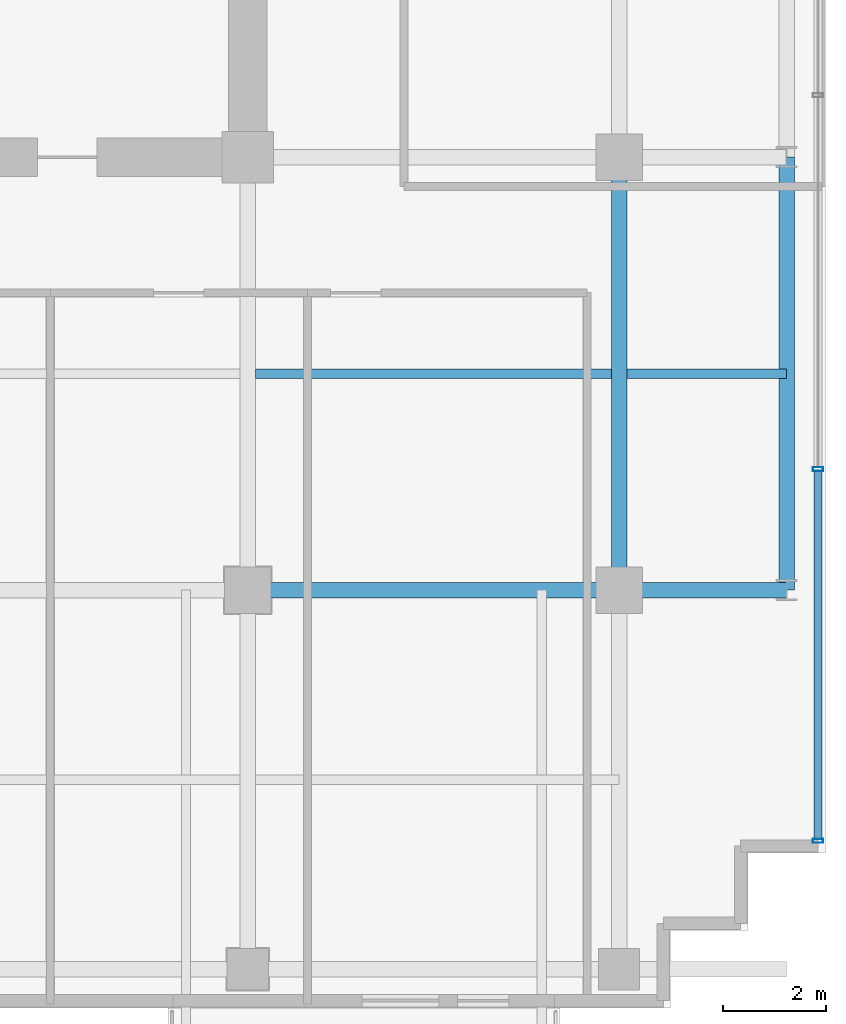
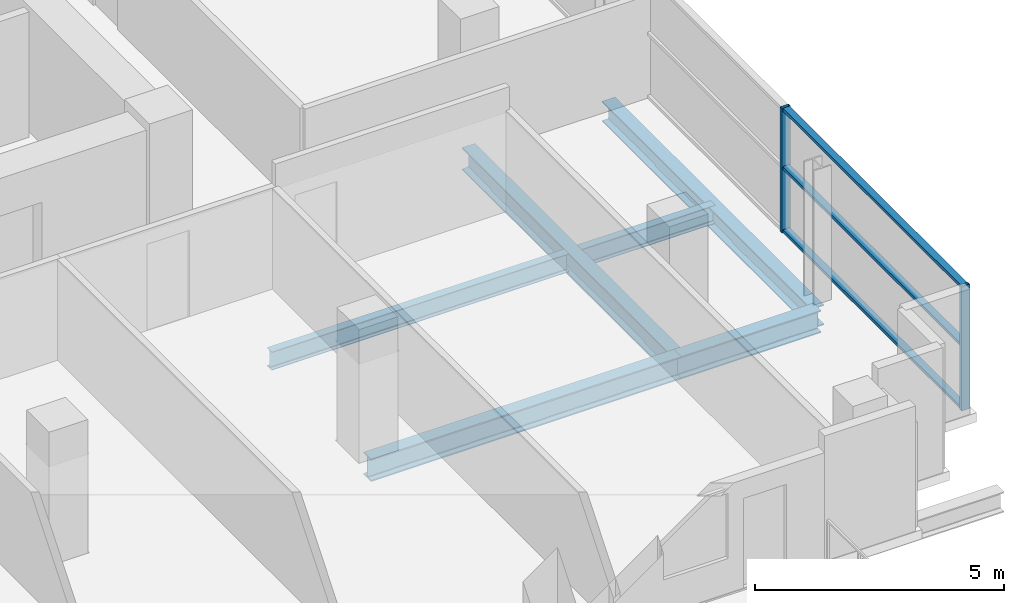
# One storey, part 12 of 28: 6 beams, 5 members, 1 element without a shape of its own.
"""IFC4 building model written with IfcOpenShell, lengths in metres."""

from ifc_helpers import new_model, si_unit, direction, frame, origin, origin_2d, place, context, subcontext, project, spatial, hollow_rectangle, i_section, extrude, source, transform, mapped, material, layer, layer_set, material_profile, profile_set, type_object, element, aggregate, save


model = new_model("IFC4")

# Units and contexts
model_context = context("Model", 3, precision=1e-05, world=origin(), true_north=direction((0.0, 1.0)))
body_context = subcontext(model_context, "Body", "Model", "MODEL_VIEW")
ifc_project = project(units=[si_unit("LENGTHUNIT", "METRE"), si_unit("AREAUNIT", "SQUARE_METRE"), si_unit("VOLUMEUNIT", "CUBIC_METRE"), si_unit("PLANEANGLEUNIT", "RADIAN"), si_unit("MASSUNIT", "GRAM", prefix="KILO")], contexts=[model_context])

# Site, building, storey
site_placement = place(None, origin())
site = spatial("IfcSite", under=ifc_project, at=site_placement, CompositionType="ELEMENT")
building_placement = place(site_placement, origin())
building = spatial("IfcBuilding", under=site, at=building_placement, Name="Zarnakvel Exchange Tower", CompositionType="ELEMENT")
storey_placement = place(building_placement, frame((0.0, 0.0, 103.300048828125)))
storey = spatial("IfcBuildingStorey", under=building, at=storey_placement, Name="L28", CompositionType="ELEMENT", Elevation=103.300048828125)

# Beams
ifc_material_1 = material(Name="Steel S355", Category="steel")
ifc_material_profile_1 = material_profile(ifc_material_1, i_section(OverallWidth=0.18994140625, OverallDepth=0.449951171875, WebThickness=0.009521484375, FlangeThickness=0.0146484375, FilletRadius=0.02099609375, at=origin_2d()))
ifc_profile_set_1 = profile_set([ifc_material_profile_1], Name="Steel S355")
beam_type_1 = type_object("IfcBeamType", Name="B-05", PredefinedType="JOIST", material=ifc_profile_set_1)
beam_1_placement = place(storey_placement, frame((14.550048828125, -5.39990234375, -0.449951171875), z_axis=(1.0, 0.0, 0.0), x_axis=(0.0, 1.0, 0.0)))
element("IfcBeam", 1, at=beam_1_placement, inside=storey, type_object=beam_type_1, Name="L28 Composite Floor Secondary Joist", PredefinedType="JOIST", context=body_context, shape_type="SweptSolid", body=[
    extrude(i_section(OverallWidth=0.18994140625, OverallDepth=0.449951171875, WebThickness=0.009521484375, FlangeThickness=0.0146484375, FilletRadius=0.02099609375, at=origin_2d()), origin(), (0.0, 0.0, 1.0), 6.89990234375),
])
beam_2_placement = place(storey_placement, frame((21.75, -5.39990234375, -0.449951171875), z_axis=(1.0, 0.0, 0.0), x_axis=(0.0, 1.0, 0.0)))
element("IfcBeam", 2, at=beam_2_placement, inside=storey, type_object=beam_type_1, Name="L28 Composite Floor Secondary Joist", PredefinedType="JOIST", context=body_context, shape_type="SweptSolid", body=[
    extrude(i_section(OverallWidth=0.18994140625, OverallDepth=0.449951171875, WebThickness=0.009521484375, FlangeThickness=0.0146484375, FilletRadius=0.02099609375, at=origin_2d()), origin(), (0.0, 0.0, 1.0), 3.10009765625),
])
ifc_material_profile_2 = material_profile(ifc_material_1, i_section(OverallWidth=0.300048828125, OverallDepth=0.550048828125, WebThickness=0.014892578125, FlangeThickness=0.029052734375, FilletRadius=0.027099609375, at=origin_2d()))
ifc_profile_set_2 = profile_set([ifc_material_profile_2], Name="Steel S355")
beam_type_2 = type_object("IfcBeamType", Name="G-05", PredefinedType="BEAM", material=ifc_profile_set_2)
beam_3_placement = place(storey_placement, frame((14.39990234375, -9.60009765625, -0.5), z_axis=(1.0, 0.0, 0.0), x_axis=(0.0, 1.0, 0.0)))
element("IfcBeam", 3, at=beam_3_placement, inside=storey, type_object=beam_type_2, Name="L28 Tower E-W Frame Beam", PredefinedType="BEAM", context=body_context, shape_type="SweptSolid", body=[
    extrude(i_section(OverallWidth=0.300048828125, OverallDepth=0.550048828125, WebThickness=0.014892578125, FlangeThickness=0.029052734375, FilletRadius=0.027099609375, at=origin_2d()), origin(), (0.0, 0.0, 1.0), 7.2001953125),
])
beam_4_placement = place(storey_placement, frame((21.60009765625, -9.60009765625, -0.5), z_axis=(1.0, 0.0, 0.0), x_axis=(0.0, 1.0, 0.0)))
element("IfcBeam", 4, at=beam_4_placement, inside=storey, type_object=beam_type_2, Name="L28 Tower E-W Frame Beam", PredefinedType="BEAM", context=body_context, shape_type="SweptSolid", body=[
    extrude(i_section(OverallWidth=0.300048828125, OverallDepth=0.550048828125, WebThickness=0.014892578125, FlangeThickness=0.029052734375, FilletRadius=0.027099609375, at=origin_2d()), origin(), (0.0, 0.0, 1.0), 3.25),
])
beam_5_placement = place(storey_placement, frame((21.60009765625, -9.60009765625, -0.5), z_axis=(0.0, 1.0, 0.0), x_axis=(-1.0, 0.0, 0.0)))
element("IfcBeam", 5, at=beam_5_placement, inside=storey, type_object=beam_type_2, Name="L28 Tower N-S Frame Beam", PredefinedType="BEAM", context=body_context, shape_type="SweptSolid", body=[
    extrude(i_section(OverallWidth=0.300048828125, OverallDepth=0.550048828125, WebThickness=0.014892578125, FlangeThickness=0.029052734375, FilletRadius=0.027099609375, at=origin_2d()), origin(), (0.0, 0.0, 1.0), 8.400146484375),
])
ifc_material_profile_3 = material_profile(ifc_material_1, i_section(OverallWidth=0.300048828125, OverallDepth=0.5, WebThickness=0.014404296875, FlangeThickness=0.028076171875, FilletRadius=0.027099609375, at=origin_2d()))
ifc_profile_set_3 = profile_set([ifc_material_profile_3], Name="Steel S355")
beam_type_3 = type_object("IfcBeamType", Name="SP-02", PredefinedType="SPANDREL", material=ifc_profile_set_3)
beam_6_placement = place(storey_placement, frame((24.85009765625, -9.60009765625, -0.47509765625), z_axis=(0.0, 1.0, 0.0), x_axis=(-1.0, 0.0, 0.0)))
element("IfcBeam", 6, at=beam_6_placement, inside=storey, type_object=beam_type_3, Name="L28 Tower N-S Frame Beam", PredefinedType="SPANDREL", context=body_context, shape_type="SweptSolid", body=[
    extrude(i_section(OverallWidth=0.300048828125, OverallDepth=0.5, WebThickness=0.014404296875, FlangeThickness=0.028076171875, FilletRadius=0.027099609375, at=origin_2d()), origin(), (0.0, 0.0, 1.0), 8.400146484375),
])

# Curtain wall, members
ifc_material_2 = material(Name="Architectural Bronze Anodised Aluminium", Category="aluminium")
ifc_layer = layer(ifc_material_2, 0.199951171875)
ifc_layer_set = layer_set([ifc_layer], Name="Architectural Bronze Anodised Aluminium")
curtain_wall_type = type_object("IfcCurtainWallType", Name="CW-04", PredefinedType="NOTDEFINED", material=ifc_layer_set)
curtain_wall_placement = place(storey_placement, origin())
curtain_wall = element("IfcCurtainWall", 7, at=curtain_wall_placement, inside=storey, type_object=curtain_wall_type, Name="L28 Curtain Wall CW-L28-E1 (CW-04)", PredefinedType="NOTDEFINED")
ifc_material_profile_4 = material_profile(ifc_material_2, hollow_rectangle(XDim=0.199951171875, YDim=0.074951171875, WallThickness=0.0048828125, at=origin_2d()))
ifc_profile_set_4 = profile_set([ifc_material_profile_4], Name="Architectural Bronze Anodised Aluminium")
member_type_1 = type_object("IfcMemberType", Name="CWM-04", PredefinedType="MULLION", material=ifc_profile_set_4)
shared_shape_1 = source(origin(), body_context, "Body", "SweptSolid", [
    extrude(hollow_rectangle(XDim=0.199951171875, YDim=0.074951171875, WallThickness=0.0048828125, at=origin_2d()), origin(), (0.0, 0.0, 1.0), 3.054931640625),
])
member_1_placement = place(storey_placement, frame((25.4599609375, -14.46240234375, 0.0), z_axis=(0.0, 0.0, 1.0), x_axis=(-1.0, 0.0, 0.0)))
member_1 = element("IfcMember", 8, at=member_1_placement, type_object=member_type_1, Name="CW-04 mullion 1", PredefinedType="MULLION", context=body_context, shape_type="MappedRepresentation", body=[
    mapped(shared_shape_1, transform((0.0, 0.0, 0.0), x_axis=(1.0, 0.0, 0.0), y_axis=(0.0, 1.0, 0.0), z_axis=(0.0, 0.0, 1.0), scale=1.0)),
])
member_2_placement = place(storey_placement, frame((25.4599609375, -7.25, 0.0), z_axis=(0.0, 0.0, 1.0), x_axis=(-1.0, 0.0, 0.0)))
member_2 = element("IfcMember", 9, at=member_2_placement, type_object=member_type_1, Name="CW-04 mullion 2", PredefinedType="MULLION", context=body_context, shape_type="MappedRepresentation", body=[
    mapped(shared_shape_1, transform((0.0, 0.0, 0.0), x_axis=(1.0, 0.0, 0.0), y_axis=(0.0, 1.0, 0.0), z_axis=(0.0, 0.0, 1.0), scale=1.0)),
])
ifc_material_profile_5 = material_profile(ifc_material_2, hollow_rectangle(XDim=0.159912109375, YDim=0.074951171875, WallThickness=0.00390625, at=origin_2d()))
ifc_profile_set_5 = profile_set([ifc_material_profile_5], Name="Architectural Bronze Anodised Aluminium")
member_type_2 = type_object("IfcMemberType", Name="CWT-04", PredefinedType="USERDEFINED", material=ifc_profile_set_5)
shared_shape_2 = source(origin(), body_context, "Body", "SweptSolid", [
    extrude(hollow_rectangle(XDim=0.159912109375, YDim=0.074951171875, WallThickness=0.00390625, at=origin_2d()), origin(), (0.0, 0.0, 1.0), 7.137451171875),
])
member_3_placement = place(storey_placement, frame((25.4599609375, -14.425048828125, 0.037353515625), z_axis=(0.0, 1.0, 0.0), x_axis=(-1.0, 0.0, 0.0)))
member_3 = element("IfcMember", 10, at=member_3_placement, type_object=member_type_2, Name="CW-04 transom 1.1", ObjectType="TRANSOM", PredefinedType="USERDEFINED", context=body_context, shape_type="MappedRepresentation", body=[
    mapped(shared_shape_2, transform((0.0, 0.0, 0.0), x_axis=(1.0, 0.0, 0.0), y_axis=(0.0, 1.0, 0.0), z_axis=(0.0, 0.0, 1.0), scale=1.0)),
])
member_4_placement = place(storey_placement, frame((25.4599609375, -14.425048828125, 1.588623046875), z_axis=(0.0, 1.0, 0.0), x_axis=(-1.0, 0.0, 0.0)))
member_4 = element("IfcMember", 11, at=member_4_placement, type_object=member_type_2, Name="CW-04 transom 1.2", ObjectType="TRANSOM", PredefinedType="USERDEFINED", context=body_context, shape_type="MappedRepresentation", body=[
    mapped(shared_shape_2, transform((0.0, 0.0, 0.0), x_axis=(1.0, 0.0, 0.0), y_axis=(0.0, 1.0, 0.0), z_axis=(0.0, 0.0, 1.0), scale=1.0)),
])
member_5_placement = place(storey_placement, frame((25.4599609375, -14.425048828125, 3.017333984375), z_axis=(0.0, 1.0, 0.0), x_axis=(-1.0, 0.0, 0.0)))
member_5 = element("IfcMember", 12, at=member_5_placement, type_object=member_type_2, Name="CW-04 transom 1.3", ObjectType="TRANSOM", PredefinedType="USERDEFINED", context=body_context, shape_type="MappedRepresentation", body=[
    mapped(shared_shape_2, transform((0.0, 0.0, 0.0), x_axis=(1.0, 0.0, 0.0), y_axis=(0.0, 1.0, 0.0), z_axis=(0.0, 0.0, 1.0), scale=1.0)),
])
aggregate(curtain_wall, [member_1, member_2, member_3, member_4, member_5])

save(model, "model.ifc")
